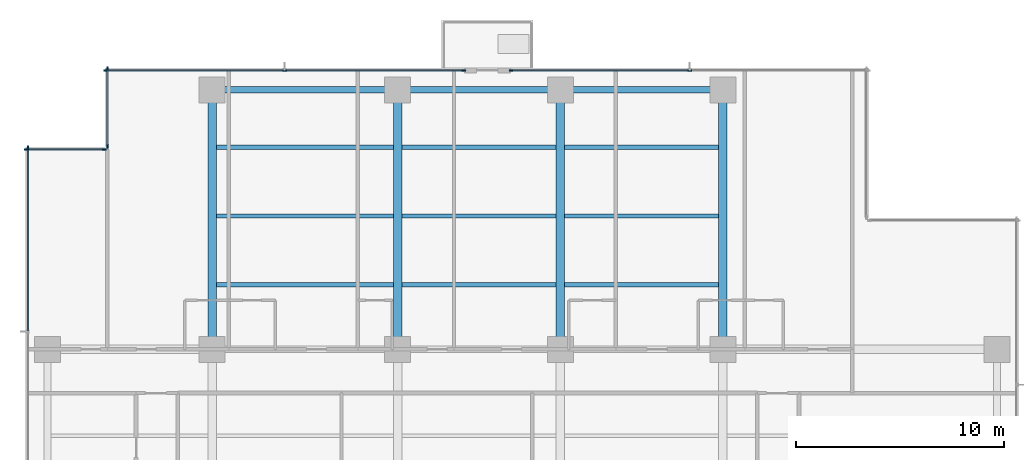
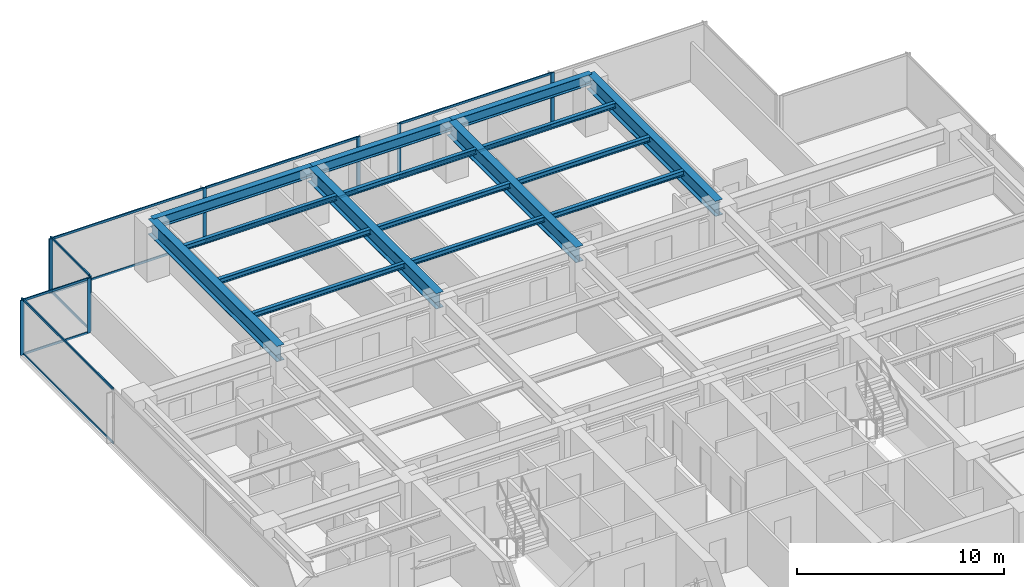
# One storey, part 5 of 17: 22 members, 16 beams, 5 elements without a shape of their own.
"""IFC4 building model written with IfcOpenShell, lengths in metres."""

from ifc_helpers import new_model, si_unit, direction, frame, origin, origin_2d, place, context, subcontext, project, spatial, rectangle, i_section, extrude, material, layer, layer_set, material_profile, profile_set, type_object, element, aggregate, save


model = new_model("IFC4")

# Units and contexts
model_context = context("Model", 3, precision=1e-05, world=origin(), true_north=direction((0.0, 1.0)))
body_context = subcontext(model_context, "Body", "Model", "MODEL_VIEW")
ifc_project = project(units=[si_unit("LENGTHUNIT", "METRE"), si_unit("AREAUNIT", "SQUARE_METRE"), si_unit("VOLUMEUNIT", "CUBIC_METRE"), si_unit("PLANEANGLEUNIT", "RADIAN"), si_unit("MASSUNIT", "GRAM", prefix="KILO")], contexts=[model_context])

# Site, building, storey
site_placement = place(None, origin())
site = spatial("IfcSite", under=ifc_project, at=site_placement, CompositionType="ELEMENT")
building_placement = place(site_placement, origin())
building = spatial("IfcBuilding", under=site, at=building_placement, Name="Qalmaran Belvedere Hotel", CompositionType="ELEMENT")
storey_placement = place(building_placement, frame((0.0, 0.0, 109.199951171875)))
storey = spatial("IfcBuildingStorey", under=building, at=storey_placement, Name="L27", CompositionType="ELEMENT", Elevation=109.199951171875)

# Beams
ifc_material_1 = material(Name="Steel S355JR", Category="steel")
ifc_material_profile_1 = material_profile(ifc_material_1, i_section(OverallWidth=0.202880859375, OverallDepth=0.302978515625, WebThickness=0.007568359375, FlangeThickness=0.01318359375, FilletRadius=0.012939453125, at=origin_2d()), Name="W310X60")
ifc_profile_set_1 = profile_set([ifc_material_profile_1], Name="Steel S355JR")
beam_type_1 = type_object("IfcBeamType", Name="BM-JST-W310X60", PredefinedType="JOIST", material=ifc_profile_set_1)
beam_1_placement = place(storey_placement, frame((20.507080078125, 36.10009765625, 3.088623046875), z_axis=(1.0, 0.0, 0.0), x_axis=(0.0, 1.0, 0.0)))
element("IfcBeam", 1, at=beam_1_placement, inside=storey, type_object=beam_type_1, Name="L27 North Floor Joist 042", PredefinedType="JOIST", context=body_context, shape_type="SweptSolid", body=[
    extrude(i_section(OverallWidth=0.202880859375, OverallDepth=0.302978515625, WebThickness=0.007568359375, FlangeThickness=0.01318359375, FilletRadius=0.012939453125, at=origin_2d()), origin(), (0.0, 0.0, 1.0), 8.48583984375),
])
for number, where, z_axis, x_axis, name in (
    (2, (29.406982421875, 36.10009765625, 3.088623046875), (1.0, 0.0, 0.0), (0.0, 1.0, 0.0), "L27 North Floor Joist 043"),
    (3, (37.20703125, 36.10009765625, 3.088623046875), (1.0, 0.0, 0.0), (0.0, 1.0, 0.0), "L27 North Floor Joist 044"),
):
    element("IfcBeam", number, at=place(storey_placement, frame(where, z_axis=z_axis, x_axis=x_axis)), inside=storey, type_object=beam_type_1, Name=name, PredefinedType="JOIST", context=body_context, shape_type="SweptSolid", body=[
        extrude(i_section(OverallWidth=0.202880859375, OverallDepth=0.302978515625, WebThickness=0.007568359375, FlangeThickness=0.01318359375, FilletRadius=0.012939453125, at=origin_2d()), origin(), (0.0, 0.0, 1.0), 7.385986328125),
    ])
beam_2_placement = place(storey_placement, frame((20.507080078125, 39.39990234375, 3.088623046875), z_axis=(1.0, 0.0, 0.0), x_axis=(0.0, 1.0, 0.0)))
element("IfcBeam", 4, at=beam_2_placement, inside=storey, type_object=beam_type_1, Name="L27 North Floor Joist 045", PredefinedType="JOIST", context=body_context, shape_type="SweptSolid", body=[
    extrude(i_section(OverallWidth=0.202880859375, OverallDepth=0.302978515625, WebThickness=0.007568359375, FlangeThickness=0.01318359375, FilletRadius=0.012939453125, at=origin_2d()), origin(), (0.0, 0.0, 1.0), 8.48583984375),
])
for number, where, z_axis, x_axis, name in (
    (5, (29.406982421875, 39.39990234375, 3.088623046875), (1.0, 0.0, 0.0), (0.0, 1.0, 0.0), "L27 North Floor Joist 046"),
    (6, (37.20703125, 39.39990234375, 3.088623046875), (1.0, 0.0, 0.0), (0.0, 1.0, 0.0), "L27 North Floor Joist 047"),
):
    element("IfcBeam", number, at=place(storey_placement, frame(where, z_axis=z_axis, x_axis=x_axis)), inside=storey, type_object=beam_type_1, Name=name, PredefinedType="JOIST", context=body_context, shape_type="SweptSolid", body=[
        extrude(i_section(OverallWidth=0.202880859375, OverallDepth=0.302978515625, WebThickness=0.007568359375, FlangeThickness=0.01318359375, FilletRadius=0.012939453125, at=origin_2d()), origin(), (0.0, 0.0, 1.0), 7.385986328125),
    ])
beam_3_placement = place(storey_placement, frame((20.507080078125, 42.699951171875, 3.088623046875), z_axis=(1.0, 0.0, 0.0), x_axis=(0.0, 1.0, 0.0)))
element("IfcBeam", 7, at=beam_3_placement, inside=storey, type_object=beam_type_1, Name="L27 North Floor Joist 048", PredefinedType="JOIST", context=body_context, shape_type="SweptSolid", body=[
    extrude(i_section(OverallWidth=0.202880859375, OverallDepth=0.302978515625, WebThickness=0.007568359375, FlangeThickness=0.01318359375, FilletRadius=0.012939453125, at=origin_2d()), origin(), (0.0, 0.0, 1.0), 8.48583984375),
])
for number, where, z_axis, x_axis, name in (
    (8, (29.406982421875, 42.699951171875, 3.088623046875), (1.0, 0.0, 0.0), (0.0, 1.0, 0.0), "L27 North Floor Joist 049"),
    (9, (37.20703125, 42.699951171875, 3.088623046875), (1.0, 0.0, 0.0), (0.0, 1.0, 0.0), "L27 North Floor Joist 050"),
):
    element("IfcBeam", number, at=place(storey_placement, frame(where, z_axis=z_axis, x_axis=x_axis)), inside=storey, type_object=beam_type_1, Name=name, PredefinedType="JOIST", context=body_context, shape_type="SweptSolid", body=[
        extrude(i_section(OverallWidth=0.202880859375, OverallDepth=0.302978515625, WebThickness=0.007568359375, FlangeThickness=0.01318359375, FilletRadius=0.012939453125, at=origin_2d()), origin(), (0.0, 0.0, 1.0), 7.385986328125),
    ])
ifc_material_profile_2 = material_profile(ifc_material_1, i_section(OverallWidth=0.41796875, OverallDepth=0.912109375, WebThickness=0.019287109375, FlangeThickness=0.031982421875, FilletRadius=0.02392578125, at=origin_2d()), Name="W920X342")
ifc_profile_set_2 = profile_set([ifc_material_profile_2], Name="Steel S355JR")
beam_type_2 = type_object("IfcBeamType", Name="BM-PG2-W920X342", PredefinedType="USERDEFINED", material=ifc_profile_set_2)
for number, where, z_axis, x_axis, name in (
    (10, (20.300048828125, 33.0, 2.783935546875), (0.0, 1.0, 0.0), (-1.0, 0.0, 0.0), "L27 North Bay Girder 15"),
    (11, (29.199951171875, 33.0, 2.783935546875), (0.0, 1.0, 0.0), (-1.0, 0.0, 0.0), "L27 North Bay Girder 17"),
    (12, (37.0, 33.0, 2.783935546875), (0.0, 1.0, 0.0), (-1.0, 0.0, 0.0), "L27 North Bay Girder 19"),
    (13, (44.800048828125, 33.0, 2.783935546875), (0.0, 1.0, 0.0), (-1.0, 0.0, 0.0), "L27 North Bay Girder 21"),
):
    element("IfcBeam", number, at=place(storey_placement, frame(where, z_axis=z_axis, x_axis=x_axis)), inside=storey, type_object=beam_type_2, Name=name, ObjectType="GIRDER", PredefinedType="USERDEFINED", context=body_context, shape_type="SweptSolid", body=[
        extrude(i_section(OverallWidth=0.41796875, OverallDepth=0.912109375, WebThickness=0.019287109375, FlangeThickness=0.031982421875, FilletRadius=0.02392578125, at=origin_2d()), origin(), (0.0, 0.0, 1.0), 12.449951171875),
    ])
ifc_material_profile_3 = material_profile(ifc_material_1, i_section(OverallWidth=0.326904296875, OverallDepth=0.6220703125, WebThickness=0.015380859375, FlangeThickness=0.0244140625, FilletRadius=0.02001953125, at=origin_2d()), Name="W610X195")
ifc_profile_set_3 = profile_set([ifc_material_profile_3], Name="Steel S355JR")
beam_type_3 = type_object("IfcBeamType", Name="BM-SP1-W610X195", PredefinedType="SPANDREL", material=ifc_profile_set_3)
beam_4_placement = place(storey_placement, frame((20.300048828125, 45.449951171875, 2.928955078125), z_axis=(1.0, 0.0, 0.0), x_axis=(0.0, 1.0, 0.0)))
element("IfcBeam", 14, at=beam_4_placement, inside=storey, type_object=beam_type_3, Name="L27 Perimeter Spandrel 05", PredefinedType="SPANDREL", context=body_context, shape_type="SweptSolid", body=[
    extrude(i_section(OverallWidth=0.326904296875, OverallDepth=0.6220703125, WebThickness=0.015380859375, FlangeThickness=0.0244140625, FilletRadius=0.02001953125, at=origin_2d()), origin(), (0.0, 0.0, 1.0), 8.89990234375),
])
for number, where, z_axis, x_axis, name in (
    (15, (29.199951171875, 45.449951171875, 2.928955078125), (1.0, 0.0, 0.0), (0.0, 1.0, 0.0), "L27 Perimeter Spandrel 06"),
    (16, (37.0, 45.449951171875, 2.928955078125), (1.0, 0.0, 0.0), (0.0, 1.0, 0.0), "L27 Perimeter Spandrel 07"),
):
    element("IfcBeam", number, at=place(storey_placement, frame(where, z_axis=z_axis, x_axis=x_axis)), inside=storey, type_object=beam_type_3, Name=name, PredefinedType="SPANDREL", context=body_context, shape_type="SweptSolid", body=[
        extrude(i_section(OverallWidth=0.326904296875, OverallDepth=0.6220703125, WebThickness=0.015380859375, FlangeThickness=0.0244140625, FilletRadius=0.02001953125, at=origin_2d()), origin(), (0.0, 0.0, 1.0), 7.800048828125),
    ])

# Curtain wall, members
ifc_material_2 = material(Name="Anodised Bronze Aluminium", Category="aluminium")
ifc_layer = layer(ifc_material_2, 0.199951171875, Name="Anodised Bronze Aluminium")
ifc_layer_set = layer_set([ifc_layer], Name="Anodised Bronze Aluminium")
curtain_wall_type = type_object("IfcCurtainWallType", Name="CW3-TOWER-LOWMID", PredefinedType="NOTDEFINED", material=ifc_layer_set)
curtain_wall_1_placement = place(storey_placement, origin())
curtain_wall_1 = element("IfcCurtainWall", 17, at=curtain_wall_1_placement, inside=storey, type_object=curtain_wall_type, Name="L27 Curtain Wall CW3", PredefinedType="NOTDEFINED")
ifc_material_profile_4 = material_profile(ifc_material_2, rectangle(XDim=0.070068359375, YDim=0.18994140625, at=origin_2d()), Name="CWM70X190")
ifc_profile_set_4 = profile_set([ifc_material_profile_4], Name="Anodised Bronze Aluminium")
member_type_1 = type_object("IfcMemberType", Name="CWM-70X190", PredefinedType="MULLION", material=ifc_profile_set_4)
member_1_placement = place(storey_placement, frame((32.364990234375, 46.3798828125, 0.0), z_axis=(0.0, 0.0, 1.0), x_axis=(0.0, -1.0, 0.0)))
member_1 = element("IfcMember", 18, at=member_1_placement, type_object=member_type_1, Name="CW3 mullion 1", PredefinedType="MULLION", context=body_context, shape_type="SweptSolid", body=[
    extrude(rectangle(XDim=0.070068359375, YDim=0.18994140625, at=origin_2d()), origin(), (0.0, 0.0, 1.0), 3.239990234375),
])
member_2_placement = place(storey_placement, frame((23.77490234375, 46.3798828125, 0.0), z_axis=(0.0, 0.0, 1.0), x_axis=(0.0, -1.0, 0.0)))
member_2 = element("IfcMember", 19, at=member_2_placement, type_object=member_type_1, Name="CW3 mullion 2", PredefinedType="MULLION", context=body_context, shape_type="SweptSolid", body=[
    extrude(rectangle(XDim=0.070068359375, YDim=0.18994140625, at=origin_2d()), origin(), (0.0, 0.0, 1.0), 3.239990234375),
])
member_3_placement = place(storey_placement, frame((15.18505859375, 46.3798828125, 0.0), z_axis=(0.0, 0.0, 1.0), x_axis=(0.0, -1.0, 0.0)))
member_3 = element("IfcMember", 20, at=member_3_placement, type_object=member_type_1, Name="CW3 mullion 3", PredefinedType="MULLION", context=body_context, shape_type="SweptSolid", body=[
    extrude(rectangle(XDim=0.070068359375, YDim=0.18994140625, at=origin_2d()), origin(), (0.0, 0.0, 1.0), 3.239990234375),
])

curtain_wall_2_placement = place(storey_placement, origin())
curtain_wall_2 = element("IfcCurtainWall", 21, at=curtain_wall_2_placement, inside=storey, type_object=curtain_wall_type, Name="L27 Curtain Wall CW3", PredefinedType="NOTDEFINED")
member_4_placement = place(storey_placement, frame((43.199951171875, 46.3798828125, 0.0), z_axis=(0.0, 0.0, 1.0), x_axis=(0.0, -1.0, 0.0)))
member_4 = element("IfcMember", 22, at=member_4_placement, type_object=member_type_1, Name="CW3 mullion 2", PredefinedType="MULLION", context=body_context, shape_type="SweptSolid", body=[
    extrude(rectangle(XDim=0.070068359375, YDim=0.18994140625, at=origin_2d()), origin(), (0.0, 0.0, 1.0), 3.239990234375),
])
member_5_placement = place(storey_placement, frame((34.635009765625, 46.3798828125, 0.0), z_axis=(0.0, 0.0, 1.0), x_axis=(0.0, -1.0, 0.0)))
member_5 = element("IfcMember", 23, at=member_5_placement, type_object=member_type_1, Name="CW3 mullion 3", PredefinedType="MULLION", context=body_context, shape_type="SweptSolid", body=[
    extrude(rectangle(XDim=0.070068359375, YDim=0.18994140625, at=origin_2d()), origin(), (0.0, 0.0, 1.0), 3.239990234375),
])

curtain_wall_3_placement = place(storey_placement, origin())
curtain_wall_3 = element("IfcCurtainWall", 24, at=curtain_wall_3_placement, inside=storey, type_object=curtain_wall_type, Name="L27 Curtain Wall CW3", PredefinedType="NOTDEFINED")
member_6_placement = place(storey_placement, frame((15.27001953125, 46.465087890625, 0.0), z_axis=(0.0, 0.0, 1.0), x_axis=(1.0, 0.0, 0.0)))
member_6 = element("IfcMember", 25, at=member_6_placement, type_object=member_type_1, Name="CW3 mullion 1", PredefinedType="MULLION", context=body_context, shape_type="SweptSolid", body=[
    extrude(rectangle(XDim=0.070068359375, YDim=0.18994140625, at=origin_2d()), origin(), (0.0, 0.0, 1.0), 3.239990234375),
])
member_7_placement = place(storey_placement, frame((15.27001953125, 42.735107421875, 0.0), z_axis=(0.0, 0.0, 1.0), x_axis=(1.0, 0.0, 0.0)))
member_7 = element("IfcMember", 26, at=member_7_placement, type_object=member_type_1, Name="CW3 mullion 2", PredefinedType="MULLION", context=body_context, shape_type="SweptSolid", body=[
    extrude(rectangle(XDim=0.070068359375, YDim=0.18994140625, at=origin_2d()), origin(), (0.0, 0.0, 1.0), 3.239990234375),
])

curtain_wall_4_placement = place(storey_placement, origin())
curtain_wall_4 = element("IfcCurtainWall", 27, at=curtain_wall_4_placement, inside=storey, type_object=curtain_wall_type, Name="L27 Curtain Wall CW3", PredefinedType="NOTDEFINED")
member_8_placement = place(storey_placement, frame((15.114990234375, 42.580078125, 0.0), z_axis=(0.0, 0.0, 1.0), x_axis=(0.0, -1.0, 0.0)))
member_8 = element("IfcMember", 28, at=member_8_placement, type_object=member_type_1, Name="CW3 mullion 1", PredefinedType="MULLION", context=body_context, shape_type="SweptSolid", body=[
    extrude(rectangle(XDim=0.070068359375, YDim=0.18994140625, at=origin_2d()), origin(), (0.0, 0.0, 1.0), 3.239990234375),
])
member_9_placement = place(storey_placement, frame((11.385009765625, 42.580078125, 0.0), z_axis=(0.0, 0.0, 1.0), x_axis=(0.0, -1.0, 0.0)))
member_9 = element("IfcMember", 29, at=member_9_placement, type_object=member_type_1, Name="CW3 mullion 2", PredefinedType="MULLION", context=body_context, shape_type="SweptSolid", body=[
    extrude(rectangle(XDim=0.070068359375, YDim=0.18994140625, at=origin_2d()), origin(), (0.0, 0.0, 1.0), 3.239990234375),
])

# Curtain wall, member
curtain_wall_5_placement = place(storey_placement, origin())
curtain_wall_5 = element("IfcCurtainWall", 30, at=curtain_wall_5_placement, inside=storey, type_object=curtain_wall_type, Name="L27 Curtain Wall CW3", PredefinedType="NOTDEFINED")
member_10_placement = place(storey_placement, frame((11.469970703125, 42.6650390625, 0.0), z_axis=(0.0, 0.0, 1.0), x_axis=(1.0, 0.0, 0.0)))
member_10 = element("IfcMember", 31, at=member_10_placement, type_object=member_type_1, Name="CW3 mullion 1", PredefinedType="MULLION", context=body_context, shape_type="SweptSolid", body=[
    extrude(rectangle(XDim=0.070068359375, YDim=0.18994140625, at=origin_2d()), origin(), (0.0, 0.0, 1.0), 3.239990234375),
])

# Member
ifc_material_profile_5 = material_profile(ifc_material_2, rectangle(XDim=0.06494140625, YDim=0.1298828125, at=origin_2d()), Name="CWT65X130")
ifc_profile_set_5 = profile_set([ifc_material_profile_5], Name="Anodised Bronze Aluminium")
member_type_2 = type_object("IfcMemberType", Name="CWT-65X130", PredefinedType="USERDEFINED", material=ifc_profile_set_5)
member_11_placement = place(storey_placement, frame((32.330078125, 46.3798828125, 0.032470703125), z_axis=(-1.0, 0.0, 0.0), x_axis=(0.0, -1.0, 0.0)))
member_11 = element("IfcMember", 32, at=member_11_placement, type_object=member_type_2, Name="CW3 transom 1.1", ObjectType="TRANSOM", PredefinedType="USERDEFINED", context=body_context, shape_type="SweptSolid", body=[
    extrude(rectangle(XDim=0.06494140625, YDim=0.1298828125, at=origin_2d()), origin(), (0.0, 0.0, 1.0), 8.52001953125),
])

member_12_placement = place(storey_placement, frame((32.330078125, 46.3798828125, 3.20751953125), z_axis=(-1.0, 0.0, 0.0), x_axis=(0.0, -1.0, 0.0)))
member_12 = element("IfcMember", 33, at=member_12_placement, type_object=member_type_2, Name="CW3 transom 1.2", ObjectType="TRANSOM", PredefinedType="USERDEFINED", context=body_context, shape_type="SweptSolid", body=[
    extrude(rectangle(XDim=0.06494140625, YDim=0.1298828125, at=origin_2d()), origin(), (0.0, 0.0, 1.0), 8.52001953125),
])

member_13_placement = place(storey_placement, frame((23.739990234375, 46.3798828125, 0.032470703125), z_axis=(-1.0, 0.0, 0.0), x_axis=(0.0, -1.0, 0.0)))
member_13 = element("IfcMember", 34, at=member_13_placement, type_object=member_type_2, Name="CW3 transom 2.1", ObjectType="TRANSOM", PredefinedType="USERDEFINED", context=body_context, shape_type="SweptSolid", body=[
    extrude(rectangle(XDim=0.06494140625, YDim=0.1298828125, at=origin_2d()), origin(), (0.0, 0.0, 1.0), 8.52001953125),
])

member_14_placement = place(storey_placement, frame((23.739990234375, 46.3798828125, 3.20751953125), z_axis=(-1.0, 0.0, 0.0), x_axis=(0.0, -1.0, 0.0)))
member_14 = element("IfcMember", 35, at=member_14_placement, type_object=member_type_2, Name="CW3 transom 2.2", ObjectType="TRANSOM", PredefinedType="USERDEFINED", context=body_context, shape_type="SweptSolid", body=[
    extrude(rectangle(XDim=0.06494140625, YDim=0.1298828125, at=origin_2d()), origin(), (0.0, 0.0, 1.0), 8.52001953125),
])

aggregate(curtain_wall_1, [member_1, member_2, member_3, member_11, member_12, member_13, member_14])

member_15_placement = place(storey_placement, frame((43.1650390625, 46.3798828125, 0.032470703125), z_axis=(-1.0, 0.0, 0.0), x_axis=(0.0, -1.0, 0.0)))
member_15 = element("IfcMember", 36, at=member_15_placement, type_object=member_type_2, Name="CW3 transom 2.1", ObjectType="TRANSOM", PredefinedType="USERDEFINED", context=body_context, shape_type="SweptSolid", body=[
    extrude(rectangle(XDim=0.06494140625, YDim=0.1298828125, at=origin_2d()), origin(), (0.0, 0.0, 1.0), 8.4951171875),
])

member_16_placement = place(storey_placement, frame((43.1650390625, 46.3798828125, 3.20751953125), z_axis=(-1.0, 0.0, 0.0), x_axis=(0.0, -1.0, 0.0)))
member_16 = element("IfcMember", 37, at=member_16_placement, type_object=member_type_2, Name="CW3 transom 2.2", ObjectType="TRANSOM", PredefinedType="USERDEFINED", context=body_context, shape_type="SweptSolid", body=[
    extrude(rectangle(XDim=0.06494140625, YDim=0.1298828125, at=origin_2d()), origin(), (0.0, 0.0, 1.0), 8.4951171875),
])

aggregate(curtain_wall_2, [member_4, member_5, member_15, member_16])

member_17_placement = place(storey_placement, frame((15.27001953125, 46.429931640625, 0.032470703125), z_axis=(0.0, -1.0, 0.0), x_axis=(1.0, 0.0, 0.0)))
member_17 = element("IfcMember", 38, at=member_17_placement, type_object=member_type_2, Name="CW3 transom 1.1", ObjectType="TRANSOM", PredefinedType="USERDEFINED", context=body_context, shape_type="SweptSolid", body=[
    extrude(rectangle(XDim=0.06494140625, YDim=0.1298828125, at=origin_2d()), origin(), (0.0, 0.0, 1.0), 3.659912109375),
])

member_18_placement = place(storey_placement, frame((15.27001953125, 46.429931640625, 3.20751953125), z_axis=(0.0, -1.0, 0.0), x_axis=(1.0, 0.0, 0.0)))
member_18 = element("IfcMember", 39, at=member_18_placement, type_object=member_type_2, Name="CW3 transom 1.2", ObjectType="TRANSOM", PredefinedType="USERDEFINED", context=body_context, shape_type="SweptSolid", body=[
    extrude(rectangle(XDim=0.06494140625, YDim=0.1298828125, at=origin_2d()), origin(), (0.0, 0.0, 1.0), 3.659912109375),
])

aggregate(curtain_wall_3, [member_6, member_7, member_17, member_18])

member_19_placement = place(storey_placement, frame((15.080078125, 42.580078125, 0.032470703125), z_axis=(-1.0, 0.0, 0.0), x_axis=(0.0, -1.0, 0.0)))
member_19 = element("IfcMember", 40, at=member_19_placement, type_object=member_type_2, Name="CW3 transom 1.1", ObjectType="TRANSOM", PredefinedType="USERDEFINED", context=body_context, shape_type="SweptSolid", body=[
    extrude(rectangle(XDim=0.06494140625, YDim=0.1298828125, at=origin_2d()), origin(), (0.0, 0.0, 1.0), 3.66015625),
])

member_20_placement = place(storey_placement, frame((15.080078125, 42.580078125, 3.20751953125), z_axis=(-1.0, 0.0, 0.0), x_axis=(0.0, -1.0, 0.0)))
member_20 = element("IfcMember", 41, at=member_20_placement, type_object=member_type_2, Name="CW3 transom 1.2", ObjectType="TRANSOM", PredefinedType="USERDEFINED", context=body_context, shape_type="SweptSolid", body=[
    extrude(rectangle(XDim=0.06494140625, YDim=0.1298828125, at=origin_2d()), origin(), (0.0, 0.0, 1.0), 3.66015625),
])

aggregate(curtain_wall_4, [member_8, member_9, member_19, member_20])

member_21_placement = place(storey_placement, frame((11.469970703125, 42.6298828125, 0.032470703125), z_axis=(0.0, -1.0, 0.0), x_axis=(1.0, 0.0, 0.0)))
member_21 = element("IfcMember", 42, at=member_21_placement, type_object=member_type_2, Name="CW3 transom 1.1", ObjectType="TRANSOM", PredefinedType="USERDEFINED", context=body_context, shape_type="SweptSolid", body=[
    extrude(rectangle(XDim=0.06494140625, YDim=0.1298828125, at=origin_2d()), origin(), (0.0, 0.0, 1.0), 8.744873046875),
])

member_22_placement = place(storey_placement, frame((11.469970703125, 42.6298828125, 3.20751953125), z_axis=(0.0, -1.0, 0.0), x_axis=(1.0, 0.0, 0.0)))
member_22 = element("IfcMember", 43, at=member_22_placement, type_object=member_type_2, Name="CW3 transom 1.2", ObjectType="TRANSOM", PredefinedType="USERDEFINED", context=body_context, shape_type="SweptSolid", body=[
    extrude(rectangle(XDim=0.06494140625, YDim=0.1298828125, at=origin_2d()), origin(), (0.0, 0.0, 1.0), 8.744873046875),
])

aggregate(curtain_wall_5, [member_10, member_21, member_22])

save(model, "model.ifc")
